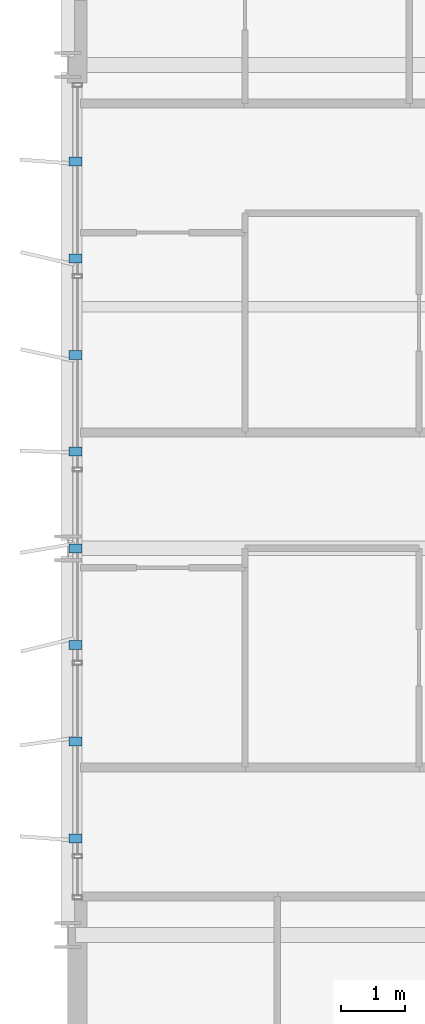
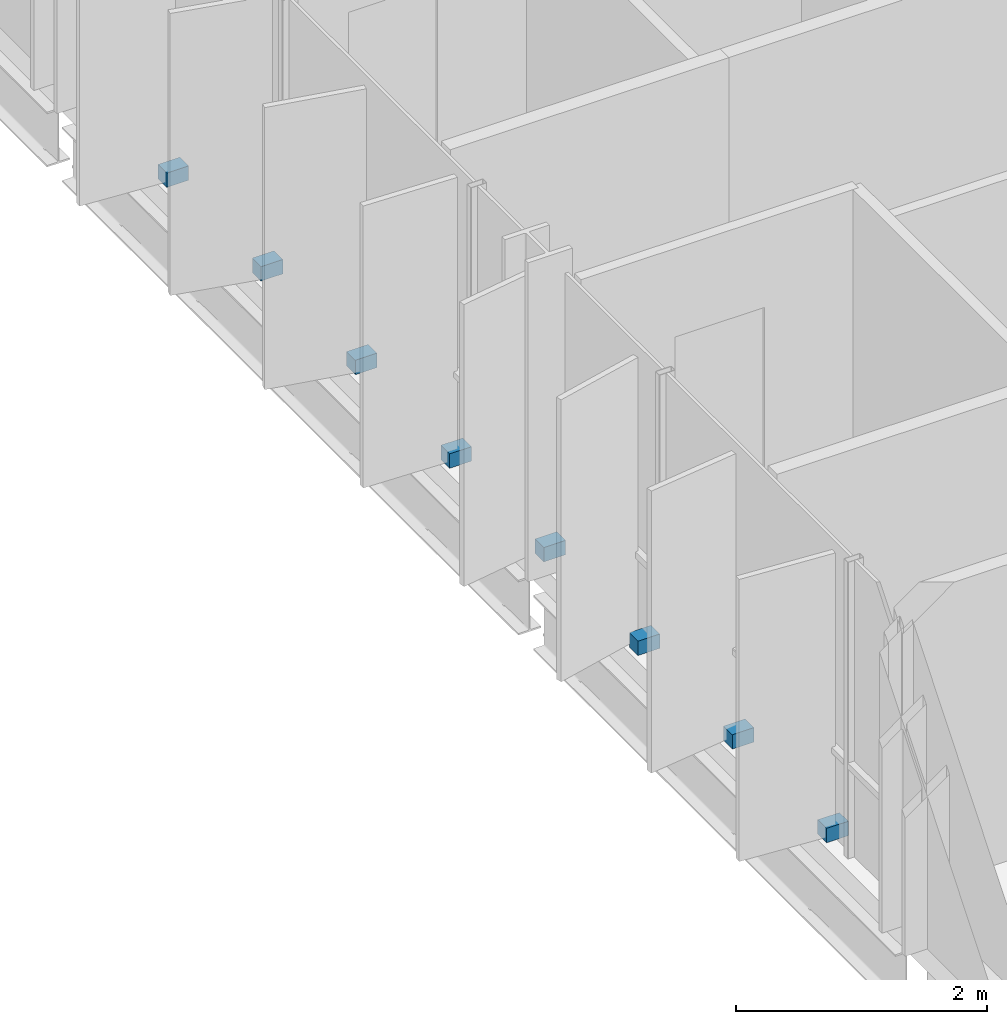
# One storey, part 35 of 40: 8 discrete accessories.
"""IFC4 building model written with IfcOpenShell, lengths in metres."""

from ifc_helpers import new_model, si_unit, direction, frame, origin, origin_2d, place, context, subcontext, project, spatial, rectangle, extrude, material, type_object, element, save


model = new_model("IFC4")

# Units and contexts
model_context = context("Model", 3, precision=1e-05, world=origin(), true_north=direction((0.0, 1.0)))
body_context = subcontext(model_context, "Body", "Model", "MODEL_VIEW")
ifc_project = project(units=[si_unit("LENGTHUNIT", "METRE"), si_unit("AREAUNIT", "SQUARE_METRE"), si_unit("VOLUMEUNIT", "CUBIC_METRE"), si_unit("PLANEANGLEUNIT", "RADIAN"), si_unit("MASSUNIT", "GRAM", prefix="KILO")], contexts=[model_context])

# Site, building, storey
site_placement = place(None, origin())
site = spatial("IfcSite", under=ifc_project, at=site_placement, CompositionType="ELEMENT")
building_placement = place(site_placement, origin())
building = spatial("IfcBuilding", under=site, at=building_placement, Name="Brevholm Reach", CompositionType="ELEMENT")
storey_placement = place(building_placement, frame((0.0, 0.0, 148.0)))
storey = spatial("IfcBuildingStorey", under=building, at=storey_placement, Name="L44", CompositionType="ELEMENT", Elevation=148.0)

# Discrete accessories
ifc_material = material(Name="Duplex Stainless Steel EN 1.4462", Category="steel")
discrete_accessory_type = type_object("IfcDiscreteAccessoryType", Name="ACC-BRK-01", PredefinedType="BRACKET", material=ifc_material)
for number, where, z_axis, x_axis, name in (
    (1, (0.1201171875, 11.5, 0.0302734375), (0.0, 0.0, 1.0), (-1.0, 0.0, 0.0), "L44 Solar Screen Support Bracket 1"),
    (2, (0.1201171875, 13.0, 0.0302734375), (0.0, 0.0, 1.0), (-1.0, 0.0, 0.0), "L44 Solar Screen Support Bracket 2"),
    (3, (0.1201171875, 14.5, 0.0302734375), (0.0, 0.0, 1.0), (-1.0, 0.0, 0.0), "L44 Solar Screen Support Bracket 3"),
    (4, (0.1201171875, 16.0, 0.0302734375), (0.0, 0.0, 1.0), (-1.0, 0.0, 0.0), "L44 Solar Screen Support Bracket 4"),
    (5, (0.1201171875, 17.5, 0.0302734375), (0.0, 0.0, 1.0), (-1.0, 0.0, 0.0), "L44 Solar Screen Support Bracket 5"),
    (6, (0.1201171875, 19.0, 0.0302734375), (0.0, 0.0, 1.0), (-1.0, 0.0, 0.0), "L44 Solar Screen Support Bracket 6"),
    (7, (0.1201171875, 20.5, 0.0302734375), (0.0, 0.0, 1.0), (-1.0, 0.0, 0.0), "L44 Solar Screen Support Bracket 7"),
    (8, (0.1201171875, 22.0, 0.0302734375), (0.0, 0.0, 1.0), (-1.0, 0.0, 0.0), "L44 Solar Screen Support Bracket 8"),
):
    element("IfcDiscreteAccessory", number, at=place(storey_placement, frame(where, z_axis=z_axis, x_axis=x_axis)), inside=storey, type_object=discrete_accessory_type, Name=name, PredefinedType="BRACKET", context=body_context, shape_type="SweptSolid", body=[
        extrude(rectangle(XDim=0.199951171875, YDim=0.139892578125, at=origin_2d()), origin(), (0.0, 0.0, 1.0), 0.139892578125),
    ])

save(model, "model.ifc")
